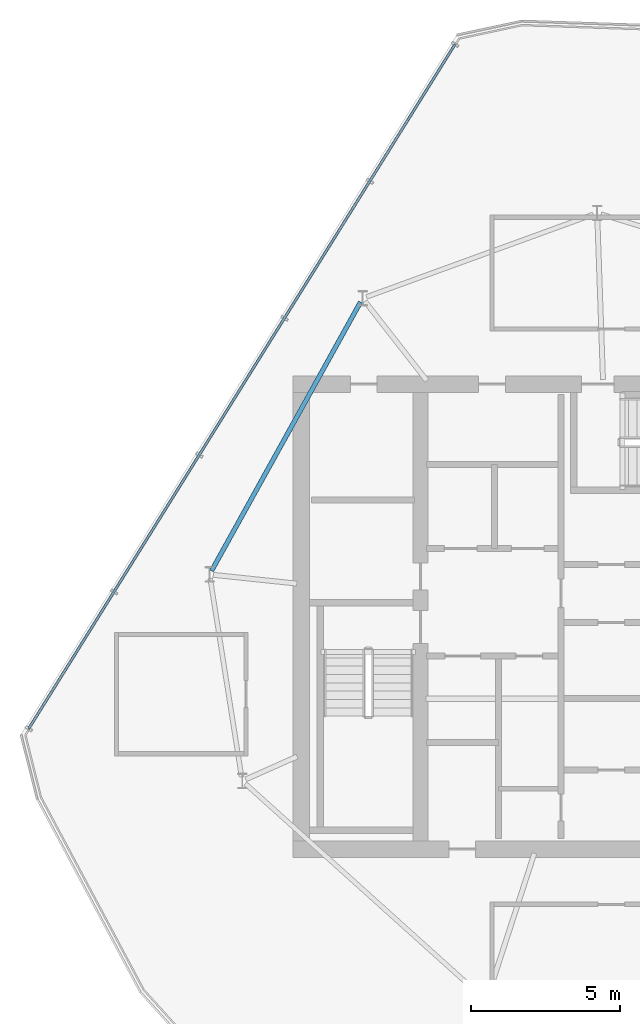
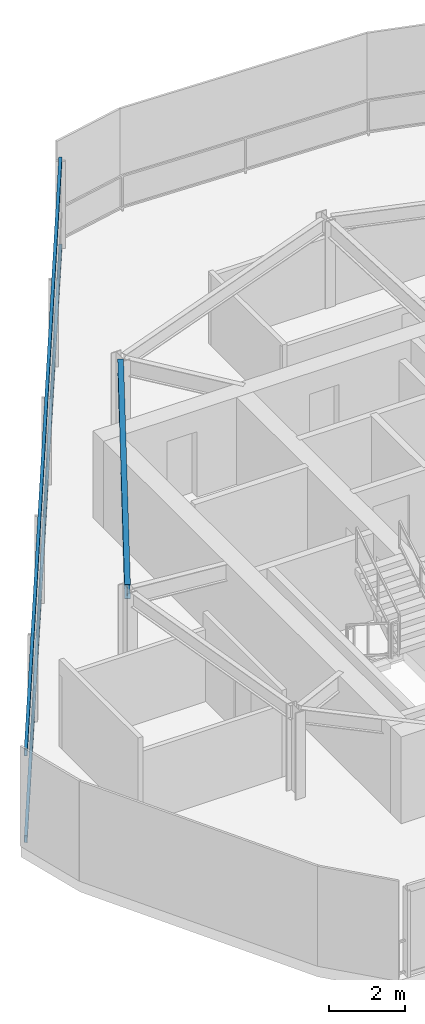
# One storey, part 7 of 16: 2 members, 1 beam, 1 element without a shape of its own.
"""IFC4 building model written with IfcOpenShell, lengths in metres."""

import ifcopenshell
import ifcopenshell.guid

model = None  # the IFC model being written
_history = None  # IfcOwnerHistory: only IFC2X3 demands one
_inside = {}  # id of a spatial element -> (the spatial element, [elements in it])
_under = {}  # id of a project, library or spatial element -> (it, [spatial elements below it])
_declared = {}  # id of a project -> (the project, [libraries it declares])
_typed = {}  # id of a type object -> (the type object, [elements of that type])
_made_of = {}  # id of a material, layer set ... -> (it, [elements and type objects made of it])


def new_model(schema):
    """Start an empty IFC model of exactly this schema.

    Asked for "IFC4X3", IfcOpenShell would pick the latest addendum, in which some entities
    have other attributes; the version numbers below select the first issue.
    IFC2X3 requires an IfcOwnerHistory on every rooted entity: one is made here for all.
    """
    global model, _history
    if schema == "IFC4X3":
        model = ifcopenshell.file(schema_version=(4, 3, 0, 0))
    else:
        model = ifcopenshell.file(schema=schema)
    _inside.clear()
    _under.clear()
    _declared.clear()
    _typed.clear()
    _made_of.clear()
    _history = None
    if model.schema == "IFC2X3":
        org = make("IfcOrganization", Name="unknown")
        user = make(
            "IfcPersonAndOrganization",
            ThePerson=make("IfcPerson", FamilyName="unknown"),
            TheOrganization=org,
        )
        app = make(
            "IfcApplication",
            ApplicationDeveloper=org,
            Version="unknown",
            ApplicationFullName="unknown",
            ApplicationIdentifier="unknown",
        )
        _history = make(
            "IfcOwnerHistory",
            OwningUser=user,
            OwningApplication=app,
            ChangeAction="ADDED",
            CreationDate=0,
        )
    return model


def make(cls, **values):
    """One entity of the class cls with the attributes given. An attribute that is None is left unset."""
    return model.create_entity(
        cls, **{name: value for name, value in values.items() if value is not None}
    )


def rooted(cls, **values):
    """An entity with a GlobalId (a new one), such as an element, a storey or a relation."""
    return make(cls, GlobalId=ifcopenshell.guid.new(), OwnerHistory=_history, **values)


def si_unit(unit_type, name, prefix=None):
    """IfcSIUnit, for example si_unit("LENGTHUNIT", "METRE", prefix="MILLI")."""
    return make("IfcSIUnit", UnitType=unit_type, Prefix=prefix, Name=name)


def assignment(units):
    """IfcUnitAssignment: the units of a project."""
    return None if units is None else make("IfcUnitAssignment", Units=units)


def point(xyz):
    """IfcCartesianPoint."""
    return None if xyz is None else make("IfcCartesianPoint", Coordinates=xyz)


def direction(xyz):
    """IfcDirection."""
    return None if xyz is None else make("IfcDirection", DirectionRatios=xyz)


def frame(location, z_axis=None, x_axis=None):
    """IfcAxis2Placement3D, a coordinate frame: its origin and axes. An axis left out is left unset."""
    return make(
        "IfcAxis2Placement3D",
        Location=point(location),
        Axis=direction(z_axis),
        RefDirection=direction(x_axis),
    )


def frame_2d(location, x_axis=None):
    """IfcAxis2Placement2D, a coordinate frame in the plane: its origin and x axis."""
    return make(
        "IfcAxis2Placement2D", Location=point(location), RefDirection=direction(x_axis)
    )


def origin():
    """The frame at (0, 0, 0) with its axes left unset."""
    return frame((0.0, 0.0, 0.0))


def origin_2d():
    """The frame at (0, 0) in the plane with its x axis left unset."""
    return frame_2d((0.0, 0.0))


def place(relative_to, where):
    """IfcLocalPlacement: puts the frame where relative to a parent placement (None: the world)."""
    return make(
        "IfcLocalPlacement", PlacementRelTo=relative_to, RelativePlacement=where
    )


def context(
    kind, dimensions, precision=None, world=None, true_north=None, identifier=None
):
    """IfcGeometricRepresentationContext, for example the 3D "Model" context."""
    return make(
        "IfcGeometricRepresentationContext",
        ContextIdentifier=identifier,
        ContextType=kind,
        CoordinateSpaceDimension=dimensions,
        Precision=precision,
        WorldCoordinateSystem=world,
        TrueNorth=true_north,
    )


def subcontext(parent, identifier, kind, view, scale=None):
    """IfcGeometricRepresentationSubContext, for example "Body" below "Model"."""
    return make(
        "IfcGeometricRepresentationSubContext",
        ContextIdentifier=identifier,
        ContextType=kind,
        ParentContext=parent,
        TargetScale=scale,
        TargetView=view,
    )


def project(units=None, contexts=None):
    """IfcProject with its units and contexts."""
    return rooted(
        "IfcProject",
        Name="project",
        RepresentationContexts=contexts,
        UnitsInContext=assignment(units),
    )


def spatial(cls, under=None, at=None, **own):
    """A site, building, storey or space (cls), placed at a placement, below another one or the project."""
    s = rooted(cls, ObjectPlacement=at, **own)
    if under is not None:
        _under.setdefault(under.id(), (under, []))[1].append(s)
    return s


def profile(cls, at=None, kind="AREA", **sizes):
    """A parametric profile (cls). Its sizes go by their IFC names, for example OverallWidth=200.0."""
    return make(cls, ProfileType=kind, Position=at, **sizes)


def hollow_rectangle(**sizes):
    """IfcRectangleHollowProfileDef."""
    return profile("IfcRectangleHollowProfileDef", **sizes)


def i_section(**sizes):
    """IfcIShapeProfileDef."""
    return profile("IfcIShapeProfileDef", **sizes)


def extrude(swept, where, along, depth):
    """IfcExtrudedAreaSolid: the profile swept, set in the frame where, extruded along a direction by depth."""
    return make(
        "IfcExtrudedAreaSolid",
        SweptArea=swept,
        Position=where,
        ExtrudedDirection=direction(along),
        Depth=depth,
    )


def shape(context_of_items, identifier, shape_type, items):
    """IfcShapeRepresentation: the items that make up one representation, for example the "Body"."""
    return make(
        "IfcShapeRepresentation",
        ContextOfItems=context_of_items,
        RepresentationIdentifier=identifier,
        RepresentationType=shape_type,
        Items=items,
    )


def material(Name=None, Category=None):
    """IfcMaterial."""
    return make("IfcMaterial", Name=Name, Category=Category)


def layer(
    of_material, thickness, ventilated=None, Name=None, Category=None, Priority=None
):
    """IfcMaterialLayer: one layer of a wall or slab, of a material (None: an air gap)."""
    return make(
        "IfcMaterialLayer",
        Material=of_material,
        LayerThickness=thickness,
        IsVentilated=ventilated,
        Name=Name,
        Category=Category,
        Priority=Priority,
    )


def layer_set(layers, Name=None):
    """IfcMaterialLayerSet."""
    return make("IfcMaterialLayerSet", MaterialLayers=layers, LayerSetName=Name)


def material_profile(
    of_material, cross_section, Name=None, Category=None, Priority=None
):
    """IfcMaterialProfile: a cross section and its material."""
    return make(
        "IfcMaterialProfile",
        Name=Name,
        Material=of_material,
        Profile=cross_section,
        Priority=Priority,
        Category=Category,
    )


def profile_set(profiles, Name=None, composite=None):
    """IfcMaterialProfileSet."""
    return make(
        "IfcMaterialProfileSet",
        Name=Name,
        MaterialProfiles=profiles,
        CompositeProfile=composite,
    )


def made_of(thing, what):
    """Note that an element or type object is made of a material, layer set ...; save() writes the relation."""
    if what is not None:
        _made_of.setdefault(what.id(), (what, []))[1].append(thing)
    return thing


def type_object(cls, material=None, **own):
    """A type object (cls), such as IfcWallType, which elements share."""
    return made_of(rooted(cls, **own), material)


def element(
    cls,
    number,
    at=None,
    inside=None,
    cuts=None,
    type_object=None,
    material=None,
    context=None,
    identifier="Body",
    shape_type=None,
    held_by="IfcProductDefinitionShape",
    body=None,
    shapes=None,
    **own,
):
    """One element of the class cls, such as IfcWall. Its Tag is "e" and its number.

    at: its placement. inside: the storey or other place that contains it. cuts: it is an
    opening in that element (IfcRelVoidsElement). A single representation is given by context,
    identifier, shape_type and body (its items); several are given by shapes. held_by: the class
    of the entity that holds the representations. save() writes the other relations.
    """
    e = rooted(cls, Tag="e%d" % number, ObjectPlacement=at, **own)
    if body is not None:
        shapes = [shape(context, identifier, shape_type, body)]
    if shapes is not None:
        e.Representation = make(held_by, Representations=shapes)
    if inside is not None:
        _inside.setdefault(inside.id(), (inside, []))[1].append(e)
    if cuts is not None:
        rooted(
            "IfcRelVoidsElement", RelatingBuildingElement=cuts, RelatedOpeningElement=e
        )
    if type_object is not None:
        _typed.setdefault(type_object.id(), (type_object, []))[1].append(e)
    return made_of(e, material)


def aggregate(whole, parts):
    """IfcRelAggregates: a whole, such as a stair, and the parts it consists of."""
    return rooted("IfcRelAggregates", RelatingObject=whole, RelatedObjects=parts)


def save(model, path):
    """Write the relations noted so far, then the file.

    IfcRelAggregates (storeys below a building ...), IfcRelContainedInSpatialStructure (elements
    in a storey), IfcRelDefinesByType, IfcRelAssociatesMaterial and IfcRelDeclares: one each for
    every whole, place, type object, material and project.
    """
    for whole, parts in _under.values():
        aggregate(whole, parts)
    for where, things in _inside.values():
        rooted(
            "IfcRelContainedInSpatialStructure",
            RelatedElements=things,
            RelatingStructure=where,
        )
    for kind, things in _typed.values():
        rooted("IfcRelDefinesByType", RelatedObjects=things, RelatingType=kind)
    for what, things in _made_of.values():
        rooted("IfcRelAssociatesMaterial", RelatedObjects=things, RelatingMaterial=what)
    for by, libraries in _declared.values():
        rooted("IfcRelDeclares", RelatingContext=by, RelatedDefinitions=libraries)
    model.write(path)


model = new_model("IFC4")

# Units and contexts
model_context = context("Model", 3, precision=1e-05, world=origin(), true_north=direction((0.0, 1.0)))
body_context = subcontext(model_context, "Body", "Model", "MODEL_VIEW")
ifc_project = project(units=[si_unit("LENGTHUNIT", "METRE"), si_unit("AREAUNIT", "SQUARE_METRE"), si_unit("VOLUMEUNIT", "CUBIC_METRE"), si_unit("PLANEANGLEUNIT", "RADIAN"), si_unit("MASSUNIT", "GRAM", prefix="KILO")], contexts=[model_context])

# Site, building, storey
site_placement = place(None, origin())
site = spatial("IfcSite", under=ifc_project, at=site_placement, CompositionType="ELEMENT")
building_placement = place(site_placement, origin())
building = spatial("IfcBuilding", under=site, at=building_placement, Name="Qarnah Convention Tower", CompositionType="ELEMENT")
storey_placement = place(building_placement, frame((0.0, 0.0, 286.699951171875)))
storey = spatial("IfcBuildingStorey", under=building, at=storey_placement, Name="L77", CompositionType="ELEMENT", Elevation=286.699951171875)

# Beam
ifc_material_1 = material(Name="Structural steel S355JR", Category="steel")
ifc_material_profile_1 = material_profile(ifc_material_1, i_section(OverallWidth=0.154052734375, OverallDepth=0.4599609375, WebThickness=0.009033203125, FlangeThickness=0.014892578125, at=origin_2d()), Name="W460X68")
ifc_profile_set_1 = profile_set([ifc_material_profile_1], Name="Structural steel S355JR")
beam_type = type_object("IfcBeamType", Name="BM-SPN-W460B", PredefinedType="SPANDREL", material=ifc_profile_set_1)
beam_placement = place(storey_placement, frame((28.7900390625, 36.9560546875, 2.550048828125), z_axis=(-0.484754052056, -0.874650506783, 0.0), x_axis=(0.874650506783, -0.484754052056, 0.0)))
element("IfcBeam", 1, at=beam_placement, inside=storey, type_object=beam_type, Name="L77 spandrel BM-L77-SPN-04", PredefinedType="SPANDREL", context=body_context, shape_type="SweptSolid", body=[
    extrude(i_section(OverallWidth=0.154052734375, OverallDepth=0.4599609375, WebThickness=0.009033203125, FlangeThickness=0.014892578125, at=origin_2d()), origin(), (0.0, 0.0, 1.0), 10.310546875),
])

# Curtain wall, members
ifc_material_2 = material(Name="Tempered Low-E dark glass", Category="glass")
ifc_layer = layer(ifc_material_2, 0.177978515625)
ifc_layer_set = layer_set([ifc_layer], Name="Tempered Low-E dark glass")
curtain_wall_type = type_object("IfcCurtainWallType", Name="CWS-06", PredefinedType="NOTDEFINED", material=ifc_layer_set)
curtain_wall_placement = place(storey_placement, origin())
curtain_wall = element("IfcCurtainWall", 2, at=curtain_wall_placement, inside=storey, type_object=curtain_wall_type, Name="L77 unitised curtain wall CW-L77-F3", PredefinedType="NOTDEFINED")
ifc_material_3 = material(Name="Black anodised aluminium", Category="aluminium")
ifc_material_profile_2 = material_profile(ifc_material_3, hollow_rectangle(XDim=0.0849609375, YDim=0.22998046875, WallThickness=0.006103515625, at=origin_2d()), Name="TRN-85X230")
ifc_profile_set_2 = profile_set([ifc_material_profile_2], Name="Black anodised aluminium")
member_type = type_object("IfcMemberType", Name="TRN-T6", PredefinedType="USERDEFINED", material=ifc_profile_set_2)
member_1_placement = place(storey_placement, frame((17.656005859375, 22.639892578125, 0.0), z_axis=(0.528735158132, 0.848786859321, 0.0), x_axis=(-0.848786859321, 0.528735158132, 0.0)))
member_1 = element("IfcMember", 3, at=member_1_placement, type_object=member_type, Name="CW-L77-F3 transom 1", ObjectType="TRANSOM", PredefinedType="USERDEFINED", context=body_context, shape_type="SweptSolid", body=[
    extrude(hollow_rectangle(XDim=0.0849609375, YDim=0.22998046875, WallThickness=0.006103515625, at=origin_2d()), origin(), (0.0, 0.0, 1.0), 27.049560546875),
])
member_2_placement = place(storey_placement, frame((17.656005859375, 22.639892578125, 2.780029296875), z_axis=(0.528735158132, 0.848786859321, 0.0), x_axis=(-0.848786859321, 0.528735158132, 0.0)))
member_2 = element("IfcMember", 4, at=member_2_placement, type_object=member_type, Name="CW-L77-F3 transom 2", ObjectType="TRANSOM", PredefinedType="USERDEFINED", context=body_context, shape_type="SweptSolid", body=[
    extrude(hollow_rectangle(XDim=0.0849609375, YDim=0.22998046875, WallThickness=0.006103515625, at=origin_2d()), origin(), (0.0, 0.0, 1.0), 27.049560546875),
])
aggregate(curtain_wall, [member_1, member_2])

save(model, "model.ifc")
